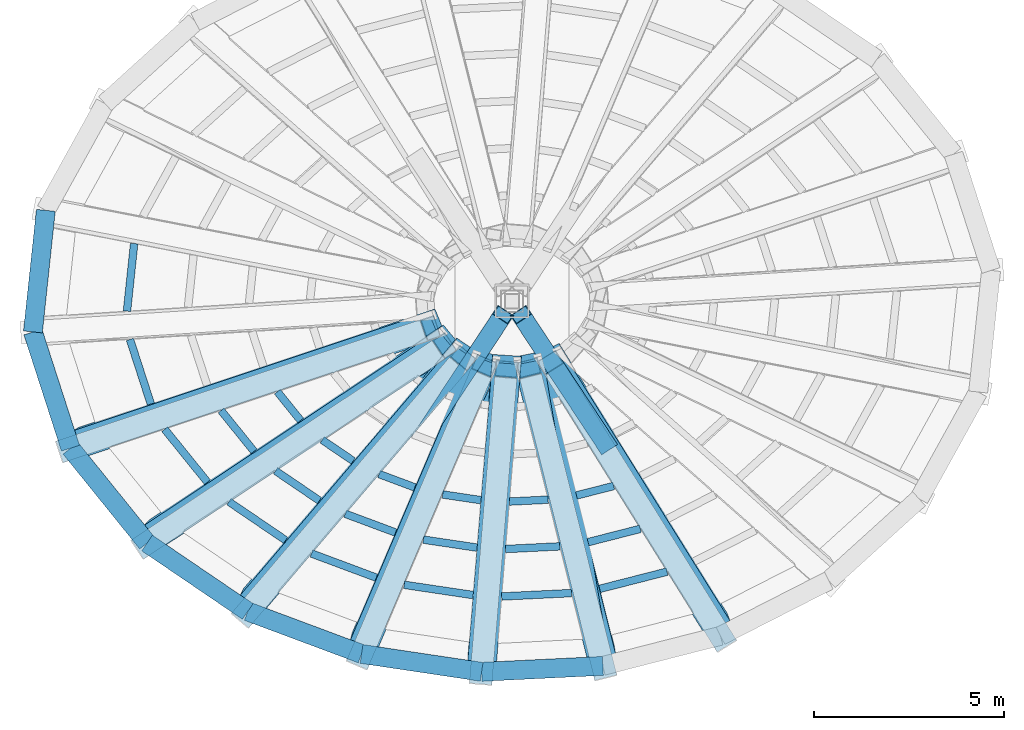
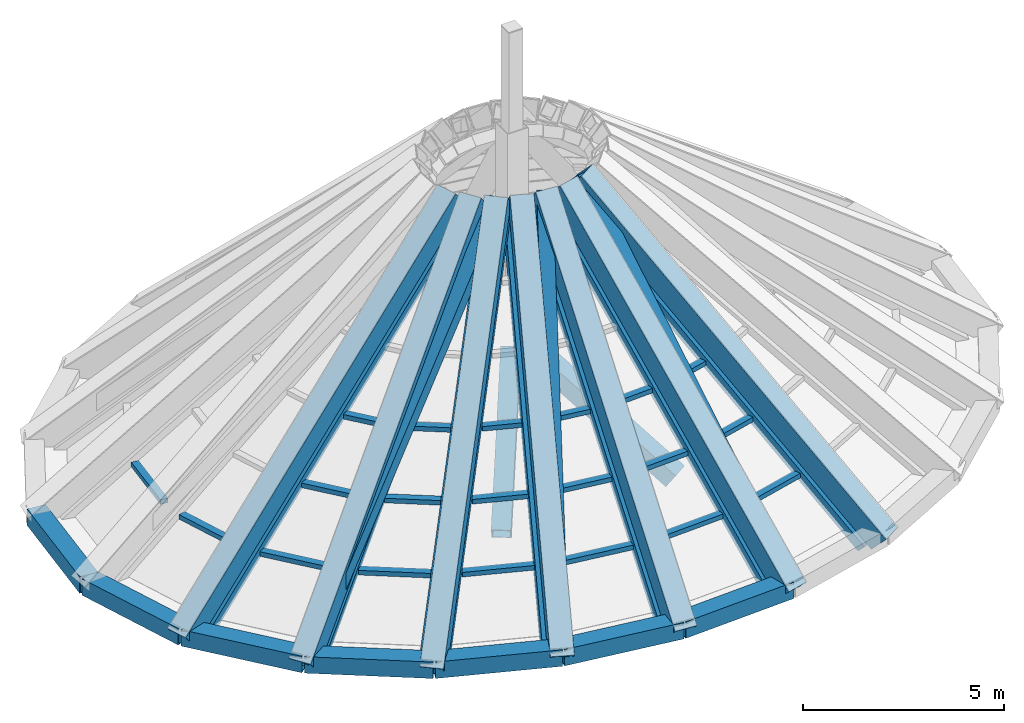
# One storey, part 1 of 9: 39 members, 7 beams, 1 element without a shape of its own.
"""IFC4 building model written with IfcOpenShell, lengths in metres."""

from ifc_helpers import new_model, si_unit, direction, frame, origin, origin_2d, place, context, subcontext, project, spatial, rectangle, hollow_rectangle, extrude, source, transform, mapped, material, material_profile, profile_set, type_object, element, aggregate, save


model = new_model("IFC4")

# Units and contexts
model_context = context("Model", 3, precision=1e-05, world=origin(), true_north=direction((0.0, 1.0)))
body_context = subcontext(model_context, "Body", "Model", "MODEL_VIEW")
ifc_project = project(units=[si_unit("LENGTHUNIT", "METRE"), si_unit("AREAUNIT", "SQUARE_METRE"), si_unit("VOLUMEUNIT", "CUBIC_METRE"), si_unit("PLANEANGLEUNIT", "RADIAN"), si_unit("MASSUNIT", "GRAM", prefix="KILO")], contexts=[model_context])

# Site, building, storey
site_placement = place(None, origin())
site = spatial("IfcSite", under=ifc_project, at=site_placement, CompositionType="ELEMENT")
building_placement = place(site_placement, origin())
building = spatial("IfcBuilding", under=site, at=building_placement, Name="Embergate Tower", CompositionType="ELEMENT")
storey_placement = place(building_placement, frame((0.0, 0.0, 374.5)))
storey = spatial("IfcBuildingStorey", under=building, at=storey_placement, Name="Roof", CompositionType="ELEMENT", Elevation=374.5)

# Beams
ifc_material_1 = material(Name="Steel Q355D", Category="steel")
ifc_material_profile_1 = material_profile(ifc_material_1, hollow_rectangle(XDim=0.5, YDim=0.5, WallThickness=0.02490234375, at=origin_2d()), Name="BOX 500x500x25")
ifc_profile_set_1 = profile_set([ifc_material_profile_1], Name="Steel Q355 grade D")
beam_type = type_object("IfcBeamType", Name="Crown frame ring beam BOX 500x500x25", PredefinedType="BEAM", material=ifc_profile_set_1)
shared_shape_1 = source(origin(), body_context, "Body", "SweptSolid", [
    extrude(hollow_rectangle(XDim=0.5, YDim=0.5, WallThickness=0.02490234375, at=origin_2d()), origin(), (0.0, 0.0, 1.0), 3.22216796875),
])
beam_1_placement = place(storey_placement, frame((-12.635986328125, -0.81103515625, 0.0), z_axis=(0.3075539776, -0.951530635798, 0.0), x_axis=(0.951530635798, 0.3075539776, 0.0)))
element("IfcBeam", 1, at=beam_1_placement, inside=storey, type_object=beam_type, Name="CRN-Roof-RB11", PredefinedType="BEAM", context=body_context, shape_type="MappedRepresentation", body=[
    mapped(shared_shape_1, transform((0.0, 0.0, 0.0))),
])
shared_shape_2 = source(origin(), body_context, "Body", "SweptSolid", [
    extrude(hollow_rectangle(XDim=0.5, YDim=0.5, WallThickness=0.02490234375, at=origin_2d()), origin(), (0.0, 0.0, 1.0), 3.217041015625),
])
beam_2_placement = place(storey_placement, frame((-11.64501953125, -3.876953125, 0.0), z_axis=(0.628224045581, -0.778032485539, 0.0), x_axis=(0.778032485539, 0.628224045581, 0.0)))
element("IfcBeam", 2, at=beam_2_placement, inside=storey, type_object=beam_type, Name="CRN-Roof-RB12", PredefinedType="BEAM", context=body_context, shape_type="MappedRepresentation", body=[
    mapped(shared_shape_2, transform((0.0, 0.0, 0.0))),
])
shared_shape_3 = source(origin(), body_context, "Body", "SweptSolid", [
    extrude(hollow_rectangle(XDim=0.5, YDim=0.5, WallThickness=0.02490234375, at=origin_2d()), origin(), (0.0, 0.0, 1.0), 3.209228515625),
])
beam_3_placement = place(storey_placement, frame((-9.6240234375, -6.3798828125, 0.0), z_axis=(0.827007145973, -0.562191409138, 0.0), x_axis=(0.562191409138, 0.827007145973, 0.0)))
element("IfcBeam", 3, at=beam_3_placement, inside=storey, type_object=beam_type, Name="CRN-Roof-RB13", PredefinedType="BEAM", context=body_context, shape_type="MappedRepresentation", body=[
    mapped(shared_shape_3, transform((0.0, 0.0, 0.0))),
])
shared_shape_4 = source(origin(), body_context, "Body", "SweptSolid", [
    extrude(hollow_rectangle(XDim=0.5, YDim=0.5, WallThickness=0.02490234375, at=origin_2d()), origin(), (0.0, 0.0, 1.0), 3.2041015625),
])
beam_4_placement = place(storey_placement, frame((-6.969970703125, -8.18408203125, 0.0), z_axis=(0.936929037432, -0.349519640102, 0.0), x_axis=(0.349519640102, 0.936929037432, 0.0)))
element("IfcBeam", 4, at=beam_4_placement, inside=storey, type_object=beam_type, Name="CRN-Roof-RB14", PredefinedType="BEAM", context=body_context, shape_type="MappedRepresentation", body=[
    mapped(shared_shape_4, transform((0.0, 0.0, 0.0))),
])
shared_shape_5 = source(origin(), body_context, "Body", "SweptSolid", [
    extrude(hollow_rectangle(XDim=0.5, YDim=0.5, WallThickness=0.02490234375, at=origin_2d()), origin(), (0.0, 0.0, 1.0), 3.201904296875),
])
beam_5_placement = place(storey_placement, frame((-3.968017578125, -9.303955078125, 0.0), z_axis=(0.98907906553, -0.147385895288, 0.0), x_axis=(0.147385895288, 0.98907906553, 0.0)))
element("IfcBeam", 5, at=beam_5_placement, inside=storey, type_object=beam_type, Name="CRN-Roof-RB15", PredefinedType="BEAM", context=body_context, shape_type="MappedRepresentation", body=[
    mapped(shared_shape_5, transform((0.0, 0.0, 0.0))),
])
shared_shape_6 = source(origin(), body_context, "Body", "SweptSolid", [
    extrude(hollow_rectangle(XDim=0.5, YDim=0.5, WallThickness=0.02490234375, at=origin_2d()), origin(), (0.0, 0.0, 1.0), 3.200927734375),
])
beam_6_placement = place(storey_placement, frame((-0.801025390625, -9.77587890625, 0.0), z_axis=(0.998815246434, 0.048663163591, 0.0), x_axis=(-0.048663163591, 0.998815246434, 0.0)))
element("IfcBeam", 6, at=beam_6_placement, inside=storey, type_object=beam_type, Name="CRN-Roof-RB16", PredefinedType="BEAM", context=body_context, shape_type="MappedRepresentation", body=[
    mapped(shared_shape_6, transform((0.0, 0.0, 0.0))),
])
shared_shape_7 = source(origin(), body_context, "Body", "SweptSolid", [
    extrude(hollow_rectangle(XDim=0.5, YDim=0.5, WallThickness=0.02490234375, at=origin_2d()), origin(), (0.0, 0.0, 1.0), 3.22412109375),
])
beam_7_placement = place(storey_placement, frame((-12.294921875, 2.39501953125, 0.0), z_axis=(-0.105784461504, -0.994389082655, 0.0), x_axis=(0.994389082655, -0.105784461504, 0.0)))
element("IfcBeam", 7, at=beam_7_placement, inside=storey, type_object=beam_type, Name="CRN-Roof-RB10", PredefinedType="BEAM", context=body_context, shape_type="MappedRepresentation", body=[
    mapped(shared_shape_7, transform((0.0, 0.0, 0.0))),
])

# Members
ifc_material_profile_2 = material_profile(ifc_material_1, hollow_rectangle(XDim=0.60009765625, YDim=0.60009765625, WallThickness=0.028076171875, at=origin_2d()), Name="BOX 600x600x28")
ifc_profile_set_2 = profile_set([ifc_material_profile_2], Name="Steel Q355 grade D")
member_type_1 = type_object("IfcMemberType", Name="Glass point hip BOX 600x600x28", PredefinedType="MEMBER", material=ifc_profile_set_2)
shared_shape_8 = source(origin(), body_context, "Body", "SweptSolid", [
    extrude(hollow_rectangle(XDim=0.60009765625, YDim=0.60009765625, WallThickness=0.028076171875, at=origin_2d()), origin(), (0.0, 0.0, 1.0), 13.02685546875),
])
member_1_placement = place(storey_placement, frame((-11.756103515625, -3.9140625, -0.093994140625), z_axis=(0.737935229169, 0.245734773965, 0.628542773736), x_axis=(-0.315945829677, 0.948777230286, 0.0)))
element("IfcMember", 8, at=member_1_placement, inside=storey, type_object=member_type_1, Name="CRN-Roof-HP12", PredefinedType="MEMBER", context=body_context, shape_type="MappedRepresentation", body=[
    mapped(shared_shape_8, transform((0.0, 0.0, 0.0))),
])
shared_shape_9 = source(origin(), body_context, "Body", "SweptSolid", [
    extrude(hollow_rectangle(XDim=0.60009765625, YDim=0.60009765625, WallThickness=0.028076171875, at=origin_2d()), origin(), (0.0, 0.0, 1.0), 12.57666015625),
])
member_2_placement = place(storey_placement, frame((-9.718994140625, -6.443115234375, -0.097900390625), z_axis=(0.632198228908, 0.419110134864, 0.65166869974), x_axis=(-0.552548549533, 0.833480713879, 0.0)))
element("IfcMember", 9, at=member_2_placement, inside=storey, type_object=member_type_1, Name="CRN-Roof-HP13", PredefinedType="MEMBER", context=body_context, shape_type="MappedRepresentation", body=[
    mapped(shared_shape_9, transform((0.0, 0.0, 0.0))),
])
shared_shape_10 = source(origin(), body_context, "Body", "SweptSolid", [
    extrude(hollow_rectangle(XDim=0.60009765625, YDim=0.60009765625, WallThickness=0.028076171875, at=origin_2d()), origin(), (0.0, 0.0, 1.0), 12.096435546875),
])
member_3_placement = place(storey_placement, frame((-7.041015625, -8.26806640625, -0.10205078125), z_axis=(0.47641352617, 0.559505857763, 0.678220721602), x_axis=(-0.761379293314, 0.648306695718, 0.0)))
element("IfcMember", 10, at=member_3_placement, inside=storey, type_object=member_type_1, Name="CRN-Roof-HP14", PredefinedType="MEMBER", context=body_context, shape_type="MappedRepresentation", body=[
    mapped(shared_shape_10, transform((0.0, 0.0, 0.0))),
])
shared_shape_11 = source(origin(), body_context, "Body", "SweptSolid", [
    extrude(hollow_rectangle(XDim=0.60009765625, YDim=0.60009765625, WallThickness=0.028076171875, at=origin_2d()), origin(), (0.0, 0.0, 1.0), 11.725830078125),
])
member_4_placement = place(storey_placement, frame((-4.010009765625, -9.403076171875, -0.10498046875), z_axis=(0.28005930332, 0.656768319376, 0.700158668652), x_axis=(-0.919859969536, 0.392246907502, 0.0)))
element("IfcMember", 11, at=member_4_placement, inside=storey, type_object=member_type_1, Name="CRN-Roof-HP15", PredefinedType="MEMBER", context=body_context, shape_type="MappedRepresentation", body=[
    mapped(shared_shape_11, transform((0.0, 0.0, 0.0))),
])
shared_shape_12 = source(origin(), body_context, "Body", "SweptSolid", [
    extrude(hollow_rectangle(XDim=0.60009765625, YDim=0.60009765625, WallThickness=0.028076171875, at=origin_2d()), origin(), (0.0, 0.0, 1.0), 11.55078125),
])
member_5_placement = place(storey_placement, frame((-0.81005859375, -9.881103515625, -0.10693359375), z_axis=(0.05749053051, 0.700729249268, 0.711107135474), x_axis=(-0.99665129886, 0.081769116909, 0.0)))
element("IfcMember", 12, at=member_5_placement, inside=storey, type_object=member_type_1, Name="CRN-Roof-HP16", PredefinedType="MEMBER", context=body_context, shape_type="MappedRepresentation", body=[
    mapped(shared_shape_12, transform((0.0, 0.0, 0.0))),
])
shared_shape_13 = source(origin(), body_context, "Body", "SweptSolid", [
    extrude(hollow_rectangle(XDim=0.60009765625, YDim=0.60009765625, WallThickness=0.028076171875, at=origin_2d()), origin(), (0.0, 0.0, 1.0), 11.610107421875),
])
member_6_placement = place(storey_placement, frame((2.422119140625, -9.722900390625, -0.10595703125), z_axis=(-0.17089628951, 0.685940317928, 0.707304982644), x_axis=(-0.970338161851, -0.241751632169, 0.0)))
element("IfcMember", 13, at=member_6_placement, inside=storey, type_object=member_type_1, Name="CRN-Roof-HP17", PredefinedType="MEMBER", context=body_context, shape_type="MappedRepresentation", body=[
    mapped(shared_shape_13, transform((0.0, 0.0, 0.0))),
])
shared_shape_14 = source(origin(), body_context, "Body", "SweptSolid", [
    extrude(hollow_rectangle(XDim=0.60009765625, YDim=0.60009765625, WallThickness=0.028076171875, at=origin_2d()), origin(), (0.0, 0.0, 1.0), 11.890380859375),
])
member_7_placement = place(storey_placement, frame((5.555908203125, -8.9189453125, -0.10400390625), z_axis=(-0.382561936712, 0.614107179322, 0.690303365836), x_axis=(-0.848777002252, -0.52875098151, 0.0)))
element("IfcMember", 14, at=member_7_placement, inside=storey, type_object=member_type_1, Name="CRN-Roof-HP18", PredefinedType="MEMBER", context=body_context, shape_type="MappedRepresentation", body=[
    mapped(shared_shape_14, transform((0.0, 0.0, 0.0))),
])
ifc_material_profile_3 = material_profile(ifc_material_1, hollow_rectangle(XDim=0.39990234375, YDim=0.39990234375, WallThickness=0.02197265625, at=origin_2d()), Name="BOX 400x400x22")
ifc_profile_set_3 = profile_set([ifc_material_profile_3], Name="Steel Q355 grade D")
member_type_2 = type_object("IfcMemberType", Name="Glass point brace BOX 400x400x22", PredefinedType="BRACE", material=ifc_profile_set_3)
shared_shape_15 = source(origin(), body_context, "Body", "SweptSolid", [
    extrude(hollow_rectangle(XDim=0.39990234375, YDim=0.39990234375, WallThickness=0.02197265625, at=origin_2d()), origin(), (0.0, 0.0, 1.0), 12.76953125),
])
member_8_placement = place(storey_placement, frame((-9.72412109375, -6.43798828125, -0.095947265625), z_axis=(0.663692155315, 0.38467149176, 0.641514276069), x_axis=(-0.501454735523, 0.865183881161, 0.0)))
element("IfcMember", 15, at=member_8_placement, inside=storey, type_object=member_type_2, Name="CRN-Roof-DG13", PredefinedType="BRACE", context=body_context, shape_type="MappedRepresentation", body=[
    mapped(shared_shape_15, transform((0.0, 0.0, 0.0))),
])
shared_shape_16 = source(origin(), body_context, "Body", "SweptSolid", [
    extrude(hollow_rectangle(XDim=0.39990234375, YDim=0.39990234375, WallThickness=0.02197265625, at=origin_2d()), origin(), (0.0, 0.0, 1.0), 11.853515625),
])
member_9_placement = place(storey_placement, frame((-4.01806640625, -9.39990234375, -0.10400390625), z_axis=(0.330121838164, 0.641500796821, 0.692456713193), x_axis=(-0.889170999168, 0.457575058584, 0.0)))
element("IfcMember", 16, at=member_9_placement, inside=storey, type_object=member_type_2, Name="CRN-Roof-DG15", PredefinedType="BRACE", context=body_context, shape_type="MappedRepresentation", body=[
    mapped(shared_shape_16, transform((0.0, 0.0, 0.0))),
])
shared_shape_17 = source(origin(), body_context, "Body", "SweptSolid", [
    extrude(hollow_rectangle(XDim=0.39990234375, YDim=0.39990234375, WallThickness=0.02197265625, at=origin_2d()), origin(), (0.0, 0.0, 1.0), 11.630126953125),
])
member_10_placement = place(storey_placement, frame((2.4140625, -9.72509765625, -0.10595703125), z_axis=(-0.117639773257, 0.698281480662, 0.70609054484), x_axis=(-0.986103969962, -0.166129348475, 0.0)))
element("IfcMember", 17, at=member_10_placement, inside=storey, type_object=member_type_2, Name="CRN-Roof-DG17", PredefinedType="BRACE", context=body_context, shape_type="MappedRepresentation", body=[
    mapped(shared_shape_17, transform((0.0, 0.0, 0.0))),
])
ifc_material_profile_4 = material_profile(ifc_material_1, hollow_rectangle(XDim=0.5, YDim=0.5, WallThickness=0.02490234375, at=origin_2d()), Name="BOX 500x500x25")
ifc_profile_set_4 = profile_set([ifc_material_profile_4], Name="Steel Q355 grade D")
member_type_3 = type_object("IfcMemberType", Name="Spire leg BOX 500x500x25", PredefinedType="BRACE", material=ifc_profile_set_4)
shared_shape_18 = source(origin(), body_context, "Body", "SweptSolid", [
    extrude(hollow_rectangle(XDim=0.5, YDim=0.5, WallThickness=0.02490234375, at=origin_2d()), origin(), (0.0, 0.0, 1.0), 4.933837890625),
])
for number, where, z_axis, x_axis, name in (
    (18, (-2.5, -3.800048828125, -0.25), (0.458844012679, 0.697444878542, 0.550484162737), (-0.835417798417, 0.549615412892, 0.0), "SPR-LEG-01"),
    (19, (2.5, -3.800048828125, -0.25), (-0.458844012679, 0.697444878542, 0.550484162737), (-0.835417798417, -0.549615412892, 0.0), "SPR-LEG-03"),
):
    element("IfcMember", number, at=place(storey_placement, frame(where, z_axis=z_axis, x_axis=x_axis)), inside=storey, type_object=member_type_3, Name=name, PredefinedType="BRACE", context=body_context, shape_type="MappedRepresentation", body=[
        mapped(shared_shape_18, transform((0.0, 0.0, 0.0))),
    ])

# Curtain wall, members
ifc_material_2 = material(Name="Aluminium and glass", Category="aluminium")
curtain_wall_type = type_object("IfcCurtainWallType", Name="Crown facet glazing", PredefinedType="NOTDEFINED", material=ifc_material_2)
curtain_wall_placement = place(storey_placement, origin())
curtain_wall = element("IfcCurtainWall", 20, at=curtain_wall_placement, inside=storey, type_object=curtain_wall_type, Name="Crown facet glazing Roof", ObjectType="CROWN FACET GLAZING", PredefinedType="USERDEFINED")
ifc_material_3 = material(Name="Aluminium, thermally broken", Category="aluminium")
ifc_material_profile_5 = material_profile(ifc_material_3, rectangle(XDim=0.199951171875, YDim=0.139892578125, at=origin_2d()), Name="AL 140x200")
ifc_profile_set_5 = profile_set([ifc_material_profile_5], Name="Aluminium, thermally broken")
member_type_4 = type_object("IfcMemberType", Name="Crown facet transom", PredefinedType="USERDEFINED", material=ifc_profile_set_5)
shared_shape_19 = source(origin(), body_context, "Body", "SweptSolid", [
    extrude(rectangle(XDim=0.199951171875, YDim=0.139892578125, at=origin_2d()), origin(), (0.0, 0.0, 1.0), 1.79150390625),
])
member_11_placement = place(storey_placement, frame((-10.076171875, -1.00830078125, 1.27685546875), z_axis=(0.307711433266, -0.951479728548, 0.0), x_axis=(0.951479728548, 0.307711433266, 0.0)))
member_11 = element("IfcMember", 21, at=member_11_placement, type_object=member_type_4, Name="CW transom 12.1", ObjectType="TRANSOM", PredefinedType="USERDEFINED", context=body_context, shape_type="MappedRepresentation", body=[
    mapped(shared_shape_19, transform((0.0, 0.0, 0.0))),
])
ifc_material_profile_6 = material_profile(ifc_material_3, rectangle(XDim=0.300048828125, YDim=0.760009765625, at=origin_2d()), Name="AL 760x300")
ifc_profile_set_6 = profile_set([ifc_material_profile_6], Name="Aluminium, thermally broken")
member_type_5 = type_object("IfcMemberType", Name="Crown apex hip cover", PredefinedType="MULLION", material=ifc_profile_set_6)
shared_shape_20 = source(origin(), body_context, "Body", "SweptSolid", [
    extrude(rectangle(XDim=0.300048828125, YDim=0.760009765625, at=origin_2d()), origin(), (0.0, 0.0, 1.0), 12.726806640625),
])
member_12_placement = place(storey_placement, frame((-11.364501953125, -3.723876953125, -0.38916015625), z_axis=(0.737901946572, 0.245698750369, 0.628595928489), x_axis=(-0.557107007569, -0.30398887909, 0.772801749162)))
member_12 = element("IfcMember", 22, at=member_12_placement, type_object=member_type_5, Name="CW hip 13", PredefinedType="MULLION", context=body_context, shape_type="MappedRepresentation", body=[
    mapped(shared_shape_20, transform((0.0, 0.0, 0.0))),
])
shared_shape_21 = source(origin(), body_context, "Body", "SweptSolid", [
    extrude(rectangle(XDim=0.199951171875, YDim=0.139892578125, at=origin_2d()), origin(), (0.0, 0.0, 1.0), 1.7958984375),
])
member_13_placement = place(storey_placement, frame((-9.15966796875, -3.377685546875, 1.279052734375), z_axis=(0.628220015931, -0.778035739271, 0.0), x_axis=(0.778035739271, 0.628220015931, 0.0)))
member_13 = element("IfcMember", 23, at=member_13_placement, type_object=member_type_4, Name="CW transom 13.1", ObjectType="TRANSOM", PredefinedType="USERDEFINED", context=body_context, shape_type="MappedRepresentation", body=[
    mapped(shared_shape_21, transform((0.0, 0.0, 0.0))),
])
shared_shape_22 = source(origin(), body_context, "Body", "SweptSolid", [
    extrude(rectangle(XDim=0.199951171875, YDim=0.139892578125, at=origin_2d()), origin(), (0.0, 0.0, 1.0), 1.385498046875),
])
member_14_placement = place(storey_placement, frame((-7.673583984375, -2.8828125, 2.544921875), z_axis=(0.628234554744, -0.778023999775, 0.0), x_axis=(0.778023999775, 0.628234554744, 0.0)))
member_14 = element("IfcMember", 24, at=member_14_placement, type_object=member_type_4, Name="CW transom 13.2", ObjectType="TRANSOM", PredefinedType="USERDEFINED", context=body_context, shape_type="MappedRepresentation", body=[
    mapped(shared_shape_22, transform((0.0, 0.0, 0.0))),
])
shared_shape_23 = source(origin(), body_context, "Body", "SweptSolid", [
    extrude(rectangle(XDim=0.199951171875, YDim=0.139892578125, at=origin_2d()), origin(), (0.0, 0.0, 1.0), 0.97509765625),
])
member_15_placement = place(storey_placement, frame((-6.187744140625, -2.387939453125, 3.810791015625), z_axis=(0.628261333076, -0.778002376193, 0.0), x_axis=(0.778002376193, 0.628261333076, 0.0)))
member_15 = element("IfcMember", 25, at=member_15_placement, type_object=member_type_4, Name="CW transom 13.3", ObjectType="TRANSOM", PredefinedType="USERDEFINED", context=body_context, shape_type="MappedRepresentation", body=[
    mapped(shared_shape_23, transform((0.0, 0.0, 0.0))),
])
shared_shape_24 = source(origin(), body_context, "Body", "SweptSolid", [
    extrude(rectangle(XDim=0.300048828125, YDim=0.760009765625, at=origin_2d()), origin(), (0.0, 0.0, 1.0), 12.276123046875),
])
member_16_placement = place(storey_placement, frame((-9.399169921875, -6.13427734375, -0.376220703125), z_axis=(0.632199771339, 0.419106545698, 0.651669511694), x_axis=(-0.447605501943, -0.488971107119, 0.748703259665)))
member_16 = element("IfcMember", 26, at=member_16_placement, type_object=member_type_5, Name="CW hip 14", PredefinedType="MULLION", context=body_context, shape_type="MappedRepresentation", body=[
    mapped(shared_shape_24, transform((0.0, 0.0, 0.0))),
])
shared_shape_25 = source(origin(), body_context, "Body", "SweptSolid", [
    extrude(rectangle(XDim=0.199951171875, YDim=0.139892578125, at=origin_2d()), origin(), (0.0, 0.0, 1.0), 1.807861328125),
])
member_17_placement = place(storey_placement, frame((-7.464599609375, -5.2900390625, 1.28125), z_axis=(0.827009381135, -0.562188121108, 0.0), x_axis=(0.562188121108, 0.827009381135, 0.0)))
member_17 = element("IfcMember", 27, at=member_17_placement, type_object=member_type_4, Name="CW transom 14.1", ObjectType="TRANSOM", PredefinedType="USERDEFINED", context=body_context, shape_type="MappedRepresentation", body=[
    mapped(shared_shape_25, transform((0.0, 0.0, 0.0))),
])
shared_shape_26 = source(origin(), body_context, "Body", "SweptSolid", [
    extrude(rectangle(XDim=0.199951171875, YDim=0.139892578125, at=origin_2d()), origin(), (0.0, 0.0, 1.0), 1.397705078125),
])
member_18_placement = place(storey_placement, frame((-6.23486328125, -4.474853515625, 2.549072265625), z_axis=(0.827072671278, -0.562095006583, 0.0), x_axis=(0.562095006583, 0.827072671278, 0.0)))
member_18 = element("IfcMember", 28, at=member_18_placement, type_object=member_type_4, Name="CW transom 14.2", ObjectType="TRANSOM", PredefinedType="USERDEFINED", context=body_context, shape_type="MappedRepresentation", body=[
    mapped(shared_shape_26, transform((0.0, 0.0, 0.0))),
])
shared_shape_27 = source(origin(), body_context, "Body", "SweptSolid", [
    extrude(rectangle(XDim=0.199951171875, YDim=0.139892578125, at=origin_2d()), origin(), (0.0, 0.0, 1.0), 0.98779296875),
])
member_19_placement = place(storey_placement, frame((-5.0048828125, -3.659423828125, 3.81689453125), z_axis=(0.827073593498, -0.562093649616, 0.0), x_axis=(0.562093649616, 0.827073593498, 0.0)))
member_19 = element("IfcMember", 29, at=member_19_placement, type_object=member_type_4, Name="CW transom 14.3", ObjectType="TRANSOM", PredefinedType="USERDEFINED", context=body_context, shape_type="MappedRepresentation", body=[
    mapped(shared_shape_27, transform((0.0, 0.0, 0.0))),
])
shared_shape_28 = source(origin(), body_context, "Body", "SweptSolid", [
    extrude(rectangle(XDim=0.300048828125, YDim=0.760009765625, at=origin_2d()), origin(), (0.0, 0.0, 1.0), 11.79638671875),
])
member_20_placement = place(storey_placement, frame((-6.81201171875, -7.877197265625, -0.3642578125), z_axis=(0.47648823742, 0.559500630258, 0.678172547617), x_axis=(-0.314762347001, -0.611675998754, 0.725794142618)))
member_20 = element("IfcMember", 30, at=member_20_placement, type_object=member_type_5, Name="CW hip 15", PredefinedType="MULLION", context=body_context, shape_type="MappedRepresentation", body=[
    mapped(shared_shape_28, transform((0.0, 0.0, 0.0))),
])
shared_shape_29 = source(origin(), body_context, "Body", "SweptSolid", [
    extrude(rectangle(XDim=0.199951171875, YDim=0.139892578125, at=origin_2d()), origin(), (0.0, 0.0, 1.0), 1.8251953125),
])
member_21_placement = place(storey_placement, frame((-5.288818359375, -6.654541015625, 1.283203125), z_axis=(0.936937896298, -0.349495891938, 0.0), x_axis=(0.349495891938, 0.936937896298, 0.0)))
member_21 = element("IfcMember", 31, at=member_21_placement, type_object=member_type_4, Name="CW transom 15.1", ObjectType="TRANSOM", PredefinedType="USERDEFINED", context=body_context, shape_type="MappedRepresentation", body=[
    mapped(shared_shape_29, transform((0.0, 0.0, 0.0))),
])
shared_shape_30 = source(origin(), body_context, "Body", "SweptSolid", [
    extrude(rectangle(XDim=0.199951171875, YDim=0.139892578125, at=origin_2d()), origin(), (0.0, 0.0, 1.0), 1.415283203125),
])
member_22_placement = place(storey_placement, frame((-4.39697265625, -5.607421875, 2.552490234375), z_axis=(0.936930420381, -0.349515932921, 0.0), x_axis=(0.349515932921, 0.936930420381, 0.0)))
member_22 = element("IfcMember", 32, at=member_22_placement, type_object=member_type_4, Name="CW transom 15.2", ObjectType="TRANSOM", PredefinedType="USERDEFINED", context=body_context, shape_type="MappedRepresentation", body=[
    mapped(shared_shape_30, transform((0.0, 0.0, 0.0))),
])
shared_shape_31 = source(origin(), body_context, "Body", "SweptSolid", [
    extrude(rectangle(XDim=0.199951171875, YDim=0.139892578125, at=origin_2d()), origin(), (0.0, 0.0, 1.0), 1.005126953125),
])
member_23_placement = place(storey_placement, frame((-3.505126953125, -4.560302734375, 3.821533203125), z_axis=(0.936916841991, -0.349552329693, 0.0), x_axis=(0.349552329693, 0.936916841991, 0.0)))
member_23 = element("IfcMember", 33, at=member_23_placement, type_object=member_type_4, Name="CW transom 15.3", ObjectType="TRANSOM", PredefinedType="USERDEFINED", context=body_context, shape_type="MappedRepresentation", body=[
    mapped(shared_shape_31, transform((0.0, 0.0, 0.0))),
])
shared_shape_32 = source(origin(), body_context, "Body", "SweptSolid", [
    extrude(rectangle(XDim=0.300048828125, YDim=0.760009765625, at=origin_2d()), origin(), (0.0, 0.0, 1.0), 11.425048828125),
])
member_24_placement = place(storey_placement, frame((-3.880126953125, -8.9619140625, -0.35595703125), z_axis=(0.280080017427, 0.656703982266, 0.700210727935), x_axis=(-0.175394629133, -0.682119786159, 0.70989388038)))
member_24 = element("IfcMember", 34, at=member_24_placement, type_object=member_type_5, Name="CW hip 16", PredefinedType="MULLION", context=body_context, shape_type="MappedRepresentation", body=[
    mapped(shared_shape_32, transform((0.0, 0.0, 0.0))),
])
shared_shape_33 = source(origin(), body_context, "Body", "SweptSolid", [
    extrude(rectangle(XDim=0.199951171875, YDim=0.139892578125, at=origin_2d()), origin(), (0.0, 0.0, 1.0), 1.838623046875),
])
member_25_placement = place(storey_placement, frame((-2.843994140625, -7.480224609375, 1.2841796875), z_axis=(0.989079061054, -0.147385925328, 0.0), x_axis=(0.147385925328, 0.989079061054, 0.0)))
member_25 = element("IfcMember", 35, at=member_25_placement, type_object=member_type_4, Name="CW transom 16.1", ObjectType="TRANSOM", PredefinedType="USERDEFINED", context=body_context, shape_type="MappedRepresentation", body=[
    mapped(shared_shape_33, transform((0.0, 0.0, 0.0))),
])
shared_shape_34 = source(origin(), body_context, "Body", "SweptSolid", [
    extrude(rectangle(XDim=0.199951171875, YDim=0.139892578125, at=origin_2d()), origin(), (0.0, 0.0, 1.0), 1.42822265625),
])
member_26_placement = place(storey_placement, frame((-2.335693359375, -6.2890625, 2.554443359375), z_axis=(0.989058889783, -0.147521227425, 0.0), x_axis=(0.147521227425, 0.989058889783, 0.0)))
member_26 = element("IfcMember", 36, at=member_26_placement, type_object=member_type_4, Name="CW transom 16.2", ObjectType="TRANSOM", PredefinedType="USERDEFINED", context=body_context, shape_type="MappedRepresentation", body=[
    mapped(shared_shape_34, transform((0.0, 0.0, 0.0))),
])
shared_shape_35 = source(origin(), body_context, "Body", "SweptSolid", [
    extrude(rectangle(XDim=0.199951171875, YDim=0.139892578125, at=origin_2d()), origin(), (0.0, 0.0, 1.0), 1.018798828125),
])
member_27_placement = place(storey_placement, frame((-1.827880859375, -5.097900390625, 3.824462890625), z_axis=(0.989078287168, -0.147391118635, 0.0), x_axis=(0.147391118635, 0.989078287168, 0.0)))
member_27 = element("IfcMember", 37, at=member_27_placement, type_object=member_type_4, Name="CW transom 16.3", ObjectType="TRANSOM", PredefinedType="USERDEFINED", context=body_context, shape_type="MappedRepresentation", body=[
    mapped(shared_shape_35, transform((0.0, 0.0, 0.0))),
])
shared_shape_36 = source(origin(), body_context, "Body", "SweptSolid", [
    extrude(rectangle(XDim=0.300048828125, YDim=0.760009765625, at=origin_2d()), origin(), (0.0, 0.0, 1.0), 11.25048828125),
])
member_28_placement = place(storey_placement, frame((-0.783447265625, -9.419921875, -0.352294921875), z_axis=(0.057418973671, 0.700767542237, 0.711075181123), x_axis=(-0.035151639909, -0.710389551387, 0.702930329045)))
member_28 = element("IfcMember", 38, at=member_28_placement, type_object=member_type_5, Name="CW hip 17", PredefinedType="MULLION", context=body_context, shape_type="MappedRepresentation", body=[
    mapped(shared_shape_36, transform((0.0, 0.0, 0.0))),
])
shared_shape_37 = source(origin(), body_context, "Body", "SweptSolid", [
    extrude(rectangle(XDim=0.199951171875, YDim=0.139892578125, at=origin_2d()), origin(), (0.0, 0.0, 1.0), 1.840576171875),
])
member_29_placement = place(storey_placement, frame((-0.27197265625, -7.788330078125, 1.284423828125), z_axis=(0.998814396986, 0.048680595444, 0.0), x_axis=(-0.048680595444, 0.998814396986, 0.0)))
member_29 = element("IfcMember", 39, at=member_29_placement, type_object=member_type_4, Name="CW transom 17.1", ObjectType="TRANSOM", PredefinedType="USERDEFINED", context=body_context, shape_type="MappedRepresentation", body=[
    mapped(shared_shape_37, transform((0.0, 0.0, 0.0))),
])
shared_shape_38 = source(origin(), body_context, "Body", "SweptSolid", [
    extrude(rectangle(XDim=0.199951171875, YDim=0.139892578125, at=origin_2d()), origin(), (0.0, 0.0, 1.0), 1.430908203125),
])
member_30_placement = place(storey_placement, frame((-0.16943359375, -6.53662109375, 2.5546875), z_axis=(0.998808703038, 0.048797282041, 0.0), x_axis=(-0.048797282041, 0.998808703038, 0.0)))
member_30 = element("IfcMember", 40, at=member_30_placement, type_object=member_type_4, Name="CW transom 17.2", ObjectType="TRANSOM", PredefinedType="USERDEFINED", context=body_context, shape_type="MappedRepresentation", body=[
    mapped(shared_shape_38, transform((0.0, 0.0, 0.0))),
])
shared_shape_39 = source(origin(), body_context, "Body", "SweptSolid", [
    extrude(rectangle(XDim=0.199951171875, YDim=0.139892578125, at=origin_2d()), origin(), (0.0, 0.0, 1.0), 1.02099609375),
])
member_31_placement = place(storey_placement, frame((-0.06689453125, -5.28466796875, 3.824951171875), z_axis=(0.998821133468, 0.048542181014, 0.0), x_axis=(-0.048542181014, 0.998821133468, 0.0)))
member_31 = element("IfcMember", 41, at=member_31_placement, type_object=member_type_4, Name="CW transom 17.3", ObjectType="TRANSOM", PredefinedType="USERDEFINED", context=body_context, shape_type="MappedRepresentation", body=[
    mapped(shared_shape_39, transform((0.0, 0.0, 0.0))),
])
shared_shape_40 = source(origin(), body_context, "Body", "SweptSolid", [
    extrude(rectangle(XDim=0.300048828125, YDim=0.760009765625, at=origin_2d()), origin(), (0.0, 0.0, 1.0), 11.310302734375),
])
member_32_placement = place(storey_placement, frame((2.34326171875, -9.2685546875, -0.353515625), z_axis=(-0.170830697291, 0.685934681303, 0.707326293764), x_axis=(0.105249587461, -0.701067665014, 0.705284803049)))
member_32 = element("IfcMember", 42, at=member_32_placement, type_object=member_type_5, Name="CW hip 18", PredefinedType="MULLION", context=body_context, shape_type="MappedRepresentation", body=[
    mapped(shared_shape_40, transform((0.0, 0.0, 0.0))),
])
shared_shape_41 = source(origin(), body_context, "Body", "SweptSolid", [
    extrude(rectangle(XDim=0.199951171875, YDim=0.139892578125, at=origin_2d()), origin(), (0.0, 0.0, 1.0), 1.83251953125),
])
member_33_placement = place(storey_placement, frame((2.314208984375, -7.587158203125, 1.28369140625), z_axis=(0.968843606878, 0.247673303793, 0.0), x_axis=(-0.247673303793, 0.968843606878, 0.0)))
member_33 = element("IfcMember", 43, at=member_33_placement, type_object=member_type_4, Name="CW transom 18.1", ObjectType="TRANSOM", PredefinedType="USERDEFINED", context=body_context, shape_type="MappedRepresentation", body=[
    mapped(shared_shape_41, transform((0.0, 0.0, 0.0))),
])
shared_shape_42 = source(origin(), body_context, "Body", "SweptSolid", [
    extrude(rectangle(XDim=0.199951171875, YDim=0.139892578125, at=origin_2d()), origin(), (0.0, 0.0, 1.0), 1.42236328125),
])
member_34_placement = place(storey_placement, frame((2.00732421875, -6.355712890625, 2.553466796875), z_axis=(0.968887942591, 0.247499807479, 0.0), x_axis=(-0.247499807479, 0.968887942591, 0.0)))
member_34 = element("IfcMember", 44, at=member_34_placement, type_object=member_type_4, Name="CW transom 18.2", ObjectType="TRANSOM", PredefinedType="USERDEFINED", context=body_context, shape_type="MappedRepresentation", body=[
    mapped(shared_shape_42, transform((0.0, 0.0, 0.0))),
])
shared_shape_43 = source(origin(), body_context, "Body", "SweptSolid", [
    extrude(rectangle(XDim=0.199951171875, YDim=0.139892578125, at=origin_2d()), origin(), (0.0, 0.0, 1.0), 1.012451171875),
])
member_35_placement = place(storey_placement, frame((1.70068359375, -5.12451171875, 3.8232421875), z_axis=(0.968852501716, 0.247638506536, 0.0), x_axis=(-0.247638506536, 0.968852501716, 0.0)))
member_35 = element("IfcMember", 45, at=member_35_placement, type_object=member_type_4, Name="CW transom 18.3", ObjectType="TRANSOM", PredefinedType="USERDEFINED", context=body_context, shape_type="MappedRepresentation", body=[
    mapped(shared_shape_43, transform((0.0, 0.0, 0.0))),
])
shared_shape_44 = source(origin(), body_context, "Body", "SweptSolid", [
    extrude(rectangle(XDim=0.300048828125, YDim=0.760009765625, at=origin_2d()), origin(), (0.0, 0.0, 1.0), 11.59033203125),
])
member_36_placement = place(storey_placement, frame((5.3759765625, -8.499755859375, -0.359619140625), z_axis=(-0.382648412316, 0.614141644253, 0.690224770163), x_axis=(0.245447757692, -0.652661204827, 0.716790590032)))
member_36 = element("IfcMember", 46, at=member_36_placement, type_object=member_type_5, Name="CW hip 19", PredefinedType="MULLION", context=body_context, shape_type="MappedRepresentation", body=[
    mapped(shared_shape_44, transform((0.0, 0.0, 0.0))),
])
shared_shape_45 = source(origin(), body_context, "Body", "SweptSolid", [
    extrude(rectangle(XDim=0.199951171875, YDim=0.139892578125, at=origin_2d()), origin(), (0.0, 0.0, 1.0), 1.79248046875),
])
member_37_placement = place(storey_placement, frame((-9.96533203125, 1.519775390625, 1.2763671875), z_axis=(-0.105826170245, -0.994384644738, 0.0), x_axis=(0.994384644738, -0.105826170245, 0.0)))
member_37 = element("IfcMember", 47, at=member_37_placement, type_object=member_type_4, Name="CW transom 11.1", ObjectType="TRANSOM", PredefinedType="USERDEFINED", context=body_context, shape_type="MappedRepresentation", body=[
    mapped(shared_shape_45, transform((0.0, 0.0, 0.0))),
])
aggregate(curtain_wall, [member_37, member_11, member_12, member_13, member_14, member_15, member_16, member_17, member_18, member_19, member_20, member_21, member_22, member_23, member_24, member_25, member_26, member_27, member_28, member_29, member_30, member_31, member_32, member_33, member_34, member_35, member_36])

save(model, "model.ifc")
